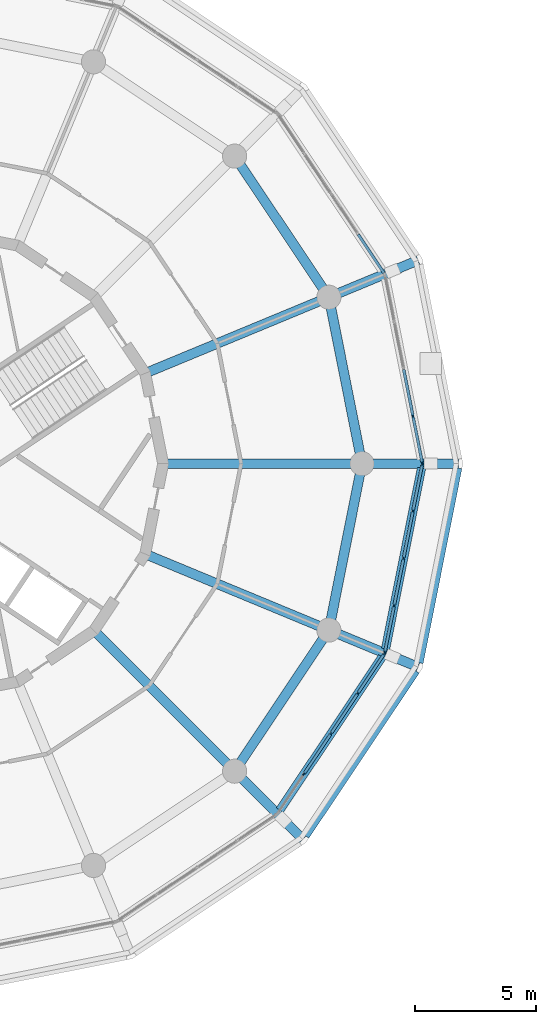
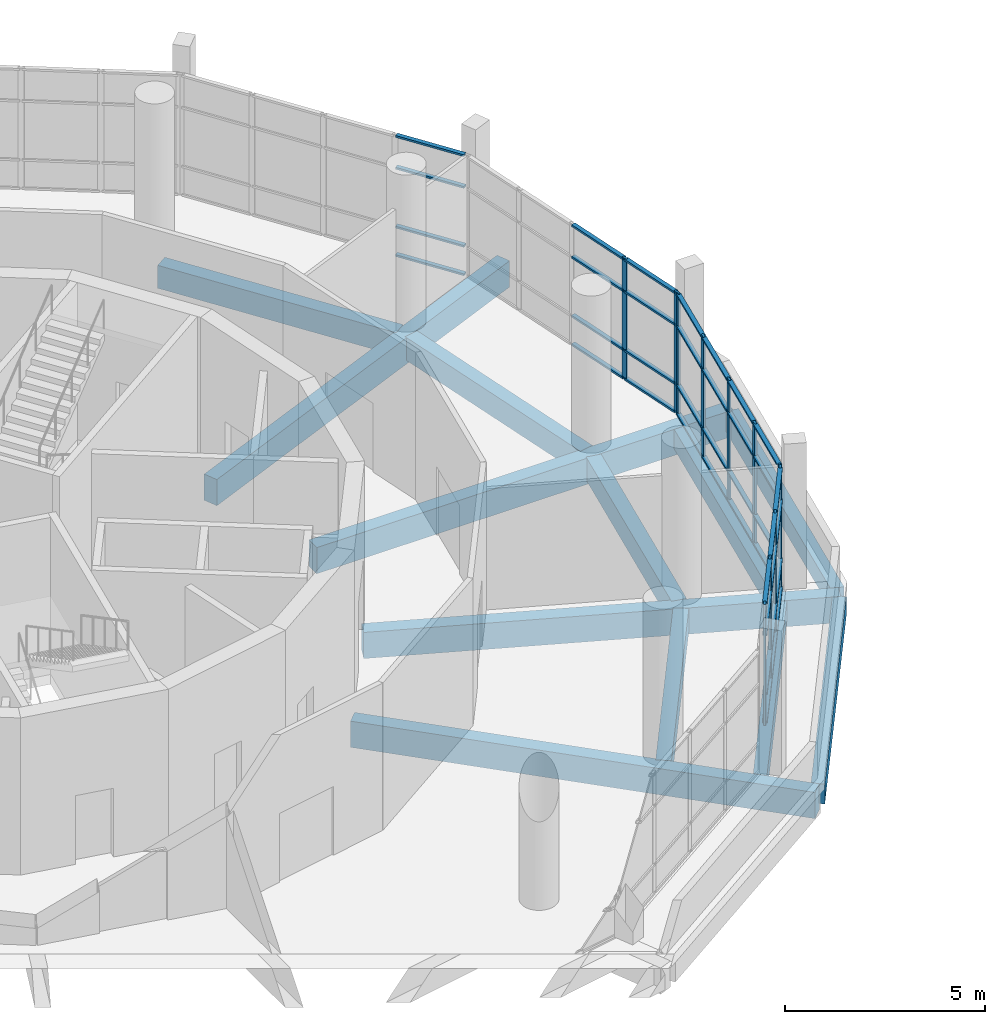
# One storey, part 9 of 40: 51 members, 12 beams, 4 elements without a shape of their own.
"""IFC4 building model written with IfcOpenShell, lengths in metres."""

from ifc_helpers import new_model, si_unit, direction, frame, origin, origin_2d, place, context, subcontext, project, spatial, rectangle, extrude, material, material_profile, profile_set, type_object, element, aggregate, save


model = new_model("IFC4")

# Units and contexts
model_context = context("Model", 3, precision=1e-05, world=origin(), true_north=direction((0.0, 1.0)))
body_context = subcontext(model_context, "Body", "Model", "MODEL_VIEW")
ifc_project = project(units=[si_unit("LENGTHUNIT", "METRE"), si_unit("AREAUNIT", "SQUARE_METRE"), si_unit("VOLUMEUNIT", "CUBIC_METRE"), si_unit("PLANEANGLEUNIT", "RADIAN"), si_unit("MASSUNIT", "GRAM", prefix="KILO")], contexts=[model_context])

# Site, building, storey
site_placement = place(None, origin())
site = spatial("IfcSite", under=ifc_project, at=site_placement, CompositionType="ELEMENT")
building_placement = place(site_placement, origin())
building = spatial("IfcBuilding", under=site, at=building_placement, Name="Ceibo Conservatory and Research Tower", CompositionType="ELEMENT")
storey_placement = place(building_placement, frame((0.0, 0.0, 6.0)))
storey = spatial("IfcBuildingStorey", under=building, at=storey_placement, Name="L01", CompositionType="ELEMENT", Elevation=6.0)

# Curtain wall, members
ifc_material_1 = material(Name="Aluminium and glass", Category="aluminium")
curtain_wall_type = type_object("IfcCurtainWallType", Name="Curtain wall CW1", PredefinedType="NOTDEFINED", material=ifc_material_1)
curtain_wall_1_placement = place(storey_placement, origin())
curtain_wall_1 = element("IfcCurtainWall", 1, at=curtain_wall_1_placement, inside=storey, type_object=curtain_wall_type, Name="CW-01.01", PredefinedType="NOTDEFINED")
ifc_material_2 = material(Name="Aluminium", Category="aluminium")
ifc_material_profile_1 = material_profile(ifc_material_2, rectangle(XDim=0.06005859375, YDim=0.159912109375, at=origin_2d()), Name="Aluminium 60 x 160")
ifc_profile_set_1 = profile_set([ifc_material_profile_1], Name="Aluminium")
member_type_1 = type_object("IfcMemberType", Name="Aluminium mullion 60 x 160", PredefinedType="MULLION", material=ifc_profile_set_1)
member_1_placement = place(storey_placement, frame((68.494140625, 120.029541015625, 0.0), z_axis=(0.0, 0.0, 1.0), x_axis=(-0.980785268711, -0.195090380799, 0.0)))
member_1 = element("IfcMember", 2, at=member_1_placement, type_object=member_type_1, Name="CW-01.01 mullion 1", PredefinedType="MULLION", context=body_context, shape_type="SweptSolid", body=[
    extrude(rectangle(XDim=0.06005859375, YDim=0.159912109375, at=origin_2d()), origin(), (0.0, 0.0, 1.0), 3.699951171875),
])
member_2_placement = place(storey_placement, frame((68.10986328125, 121.961181640625, 0.0), z_axis=(0.0, 0.0, 1.0), x_axis=(-0.980785268711, -0.195090380799, 0.0)))
member_2 = element("IfcMember", 3, at=member_2_placement, type_object=member_type_1, Name="CW-01.01 mullion 2", PredefinedType="MULLION", context=body_context, shape_type="SweptSolid", body=[
    extrude(rectangle(XDim=0.06005859375, YDim=0.159912109375, at=origin_2d()), origin(), (0.0, 0.0, 1.0), 3.699951171875),
])

curtain_wall_2_placement = place(storey_placement, origin())
curtain_wall_2 = element("IfcCurtainWall", 4, at=curtain_wall_2_placement, inside=storey, type_object=curtain_wall_type, Name="CW-01.15", PredefinedType="NOTDEFINED")
member_3_placement = place(storey_placement, frame((63.606689453125, 107.1669921875, 0.0), z_axis=(0.0, 0.0, 1.0), x_axis=(-0.831469649004, 0.555570178092, 0.0)))
member_3 = element("IfcMember", 5, at=member_3_placement, type_object=member_type_1, Name="CW-01.15 mullion 2", PredefinedType="MULLION", context=body_context, shape_type="SweptSolid", body=[
    extrude(rectangle(XDim=0.06005859375, YDim=0.159912109375, at=origin_2d()), origin(), (0.0, 0.0, 1.0), 3.699951171875),
])
member_4_placement = place(storey_placement, frame((64.717529296875, 108.82958984375, 0.0), z_axis=(0.0, 0.0, 1.0), x_axis=(-0.831469649004, 0.555570178092, 0.0)))
member_4 = element("IfcMember", 6, at=member_4_placement, type_object=member_type_1, Name="CW-01.15 mullion 3", PredefinedType="MULLION", context=body_context, shape_type="SweptSolid", body=[
    extrude(rectangle(XDim=0.06005859375, YDim=0.159912109375, at=origin_2d()), origin(), (0.0, 0.0, 1.0), 3.699951171875),
])
member_5_placement = place(storey_placement, frame((65.82861328125, 110.492431640625, 0.0), z_axis=(0.0, 0.0, 1.0), x_axis=(-0.831469649004, 0.555570178092, 0.0)))
member_5 = element("IfcMember", 7, at=member_5_placement, type_object=member_type_1, Name="CW-01.15 mullion 4", PredefinedType="MULLION", context=body_context, shape_type="SweptSolid", body=[
    extrude(rectangle(XDim=0.06005859375, YDim=0.159912109375, at=origin_2d()), origin(), (0.0, 0.0, 1.0), 3.699951171875),
])
member_6_placement = place(storey_placement, frame((66.9228515625, 112.130126953125, 0.0), z_axis=(0.0, 0.0, 1.0), x_axis=(-0.831469649004, 0.555570178092, 0.0)))
member_6 = element("IfcMember", 8, at=member_6_placement, type_object=member_type_1, Name="CW-01.15 mullion 5", PredefinedType="MULLION", context=body_context, shape_type="SweptSolid", body=[
    extrude(rectangle(XDim=0.06005859375, YDim=0.159912109375, at=origin_2d()), origin(), (0.0, 0.0, 1.0), 3.699951171875),
])

curtain_wall_3_placement = place(storey_placement, origin())
curtain_wall_3 = element("IfcCurtainWall", 9, at=curtain_wall_3_placement, inside=storey, type_object=curtain_wall_type, Name="CW-01.16", PredefinedType="NOTDEFINED")
member_7_placement = place(storey_placement, frame((66.9453125, 112.184326171875, 0.0), z_axis=(0.0, 0.0, 1.0), x_axis=(-0.980785268711, 0.195090380799, 0.0)))
member_7 = element("IfcMember", 10, at=member_7_placement, type_object=member_type_1, Name="CW-01.16 mullion 1", PredefinedType="MULLION", context=body_context, shape_type="SweptSolid", body=[
    extrude(rectangle(XDim=0.06005859375, YDim=0.159912109375, at=origin_2d()), origin(), (0.0, 0.0, 1.0), 3.699951171875),
])
member_8_placement = place(storey_placement, frame((67.32958984375, 114.1162109375, 0.0), z_axis=(0.0, 0.0, 1.0), x_axis=(-0.980785268711, 0.195090380799, 0.0)))
member_8 = element("IfcMember", 11, at=member_8_placement, type_object=member_type_1, Name="CW-01.16 mullion 2", PredefinedType="MULLION", context=body_context, shape_type="SweptSolid", body=[
    extrude(rectangle(XDim=0.06005859375, YDim=0.159912109375, at=origin_2d()), origin(), (0.0, 0.0, 1.0), 3.699951171875),
])
member_9_placement = place(storey_placement, frame((67.7197265625, 116.077392578125, 0.0), z_axis=(0.0, 0.0, 1.0), x_axis=(-0.980785268711, 0.195090380799, 0.0)))
member_9 = element("IfcMember", 12, at=member_9_placement, type_object=member_type_1, Name="CW-01.16 mullion 3", PredefinedType="MULLION", context=body_context, shape_type="SweptSolid", body=[
    extrude(rectangle(XDim=0.06005859375, YDim=0.159912109375, at=origin_2d()), origin(), (0.0, 0.0, 1.0), 3.699951171875),
])
member_10_placement = place(storey_placement, frame((68.10986328125, 118.038818359375, 0.0), z_axis=(0.0, 0.0, 1.0), x_axis=(-0.980785268711, 0.195090380799, 0.0)))
member_10 = element("IfcMember", 13, at=member_10_placement, type_object=member_type_1, Name="CW-01.16 mullion 4", PredefinedType="MULLION", context=body_context, shape_type="SweptSolid", body=[
    extrude(rectangle(XDim=0.06005859375, YDim=0.159912109375, at=origin_2d()), origin(), (0.0, 0.0, 1.0), 3.699951171875),
])
member_11_placement = place(storey_placement, frame((68.494140625, 119.970458984375, 0.0), z_axis=(0.0, 0.0, 1.0), x_axis=(-0.980785268711, 0.195090380799, 0.0)))
member_11 = element("IfcMember", 14, at=member_11_placement, type_object=member_type_1, Name="CW-01.16 mullion 5", PredefinedType="MULLION", context=body_context, shape_type="SweptSolid", body=[
    extrude(rectangle(XDim=0.06005859375, YDim=0.159912109375, at=origin_2d()), origin(), (0.0, 0.0, 1.0), 3.699951171875),
])

# Member
ifc_material_profile_2 = material_profile(ifc_material_2, rectangle(XDim=0.1201171875, YDim=0.06005859375, at=origin_2d()), Name="Aluminium 60 x 120")
ifc_profile_set_2 = profile_set([ifc_material_profile_2], Name="Aluminium")
member_type_2 = type_object("IfcMemberType", Name="Aluminium transom 60 x 120", PredefinedType="USERDEFINED", material=ifc_profile_set_2)
member_12_placement = place(storey_placement, frame((68.48828125, 120.058837890625, 0.030029296875), z_axis=(-0.195083474499, 0.980786642434, 0.0), x_axis=(-0.980786642434, -0.195083474499, 0.0)))
member_12 = element("IfcMember", 15, at=member_12_placement, type_object=member_type_2, Name="CW-01.01 transom 1.1", ObjectType="TRANSOM", PredefinedType="USERDEFINED", context=body_context, shape_type="SweptSolid", body=[
    extrude(rectangle(XDim=0.1201171875, YDim=0.06005859375, at=origin_2d()), origin(), (0.0, 0.0, 1.0), 1.90966796875),
])

member_13_placement = place(storey_placement, frame((68.48828125, 120.058837890625, 0.89990234375), z_axis=(-0.195083474499, 0.980786642434, 0.0), x_axis=(-0.980786642434, -0.195083474499, 0.0)))
member_13 = element("IfcMember", 16, at=member_13_placement, type_object=member_type_2, Name="CW-01.01 transom 1.2", ObjectType="TRANSOM", PredefinedType="USERDEFINED", context=body_context, shape_type="SweptSolid", body=[
    extrude(rectangle(XDim=0.1201171875, YDim=0.06005859375, at=origin_2d()), origin(), (0.0, 0.0, 1.0), 1.90966796875),
])

member_14_placement = place(storey_placement, frame((68.48828125, 120.058837890625, 2.699951171875), z_axis=(-0.195083474499, 0.980786642434, 0.0), x_axis=(-0.980786642434, -0.195083474499, 0.0)))
member_14 = element("IfcMember", 17, at=member_14_placement, type_object=member_type_2, Name="CW-01.01 transom 1.3", ObjectType="TRANSOM", PredefinedType="USERDEFINED", context=body_context, shape_type="SweptSolid", body=[
    extrude(rectangle(XDim=0.1201171875, YDim=0.06005859375, at=origin_2d()), origin(), (0.0, 0.0, 1.0), 1.90966796875),
])

member_15_placement = place(storey_placement, frame((68.48828125, 120.058837890625, 3.669921875), z_axis=(-0.195083474499, 0.980786642434, 0.0), x_axis=(-0.980786642434, -0.195083474499, 0.0)))
member_15 = element("IfcMember", 18, at=member_15_placement, type_object=member_type_2, Name="CW-01.01 transom 1.4", ObjectType="TRANSOM", PredefinedType="USERDEFINED", context=body_context, shape_type="SweptSolid", body=[
    extrude(rectangle(XDim=0.1201171875, YDim=0.06005859375, at=origin_2d()), origin(), (0.0, 0.0, 1.0), 1.90966796875),
])

member_16_placement = place(storey_placement, frame((68.10400390625, 121.99072265625, 0.030029296875), z_axis=(-0.195099382826, 0.980783478053, 0.0), x_axis=(-0.980783478053, -0.195099382826, 0.0)))
member_16 = element("IfcMember", 19, at=member_16_placement, type_object=member_type_2, Name="CW-01.01 transom 2.1", ObjectType="TRANSOM", PredefinedType="USERDEFINED", context=body_context, shape_type="SweptSolid", body=[
    extrude(rectangle(XDim=0.1201171875, YDim=0.06005859375, at=origin_2d()), origin(), (0.0, 0.0, 1.0), 1.939697265625),
])

member_17_placement = place(storey_placement, frame((68.10400390625, 121.99072265625, 0.89990234375), z_axis=(-0.195099382826, 0.980783478053, 0.0), x_axis=(-0.980783478053, -0.195099382826, 0.0)))
member_17 = element("IfcMember", 20, at=member_17_placement, type_object=member_type_2, Name="CW-01.01 transom 2.2", ObjectType="TRANSOM", PredefinedType="USERDEFINED", context=body_context, shape_type="SweptSolid", body=[
    extrude(rectangle(XDim=0.1201171875, YDim=0.06005859375, at=origin_2d()), origin(), (0.0, 0.0, 1.0), 1.939697265625),
])

member_18_placement = place(storey_placement, frame((68.10400390625, 121.99072265625, 2.699951171875), z_axis=(-0.195099382826, 0.980783478053, 0.0), x_axis=(-0.980783478053, -0.195099382826, 0.0)))
member_18 = element("IfcMember", 21, at=member_18_placement, type_object=member_type_2, Name="CW-01.01 transom 2.3", ObjectType="TRANSOM", PredefinedType="USERDEFINED", context=body_context, shape_type="SweptSolid", body=[
    extrude(rectangle(XDim=0.1201171875, YDim=0.06005859375, at=origin_2d()), origin(), (0.0, 0.0, 1.0), 1.939697265625),
])

member_19_placement = place(storey_placement, frame((68.10400390625, 121.99072265625, 3.669921875), z_axis=(-0.195099382826, 0.980783478053, 0.0), x_axis=(-0.980783478053, -0.195099382826, 0.0)))
member_19 = element("IfcMember", 22, at=member_19_placement, type_object=member_type_2, Name="CW-01.01 transom 2.4", ObjectType="TRANSOM", PredefinedType="USERDEFINED", context=body_context, shape_type="SweptSolid", body=[
    extrude(rectangle(XDim=0.1201171875, YDim=0.06005859375, at=origin_2d()), origin(), (0.0, 0.0, 1.0), 1.939697265625),
])

aggregate(curtain_wall_1, [member_1, member_2, member_12, member_13, member_14, member_15, member_16, member_17, member_18, member_19])

# Curtain wall, members
curtain_wall_4_placement = place(storey_placement, origin())
curtain_wall_4 = element("IfcCurtainWall", 23, at=curtain_wall_4_placement, inside=storey, type_object=curtain_wall_type, Name="CW-01.02", PredefinedType="NOTDEFINED")
member_20_placement = place(storey_placement, frame((66.90625, 127.89501953125, 0.030029296875), z_axis=(-0.555643975577, 0.831420334371, 0.0), x_axis=(-0.831420334371, -0.555643975577, 0.0)))
member_20 = element("IfcMember", 24, at=member_20_placement, type_object=member_type_2, Name="CW-01.02 transom 1.1", ObjectType="TRANSOM", PredefinedType="USERDEFINED", context=body_context, shape_type="SweptSolid", body=[
    extrude(rectangle(XDim=0.1201171875, YDim=0.06005859375, at=origin_2d()), origin(), (0.0, 0.0, 1.0), 1.90966796875),
])
member_21_placement = place(storey_placement, frame((66.90625, 127.89501953125, 0.89990234375), z_axis=(-0.555643975577, 0.831420334371, 0.0), x_axis=(-0.831420334371, -0.555643975577, 0.0)))
member_21 = element("IfcMember", 25, at=member_21_placement, type_object=member_type_2, Name="CW-01.02 transom 1.2", ObjectType="TRANSOM", PredefinedType="USERDEFINED", context=body_context, shape_type="SweptSolid", body=[
    extrude(rectangle(XDim=0.1201171875, YDim=0.06005859375, at=origin_2d()), origin(), (0.0, 0.0, 1.0), 1.90966796875),
])
member_22_placement = place(storey_placement, frame((66.90625, 127.89501953125, 2.699951171875), z_axis=(-0.555643975577, 0.831420334371, 0.0), x_axis=(-0.831420334371, -0.555643975577, 0.0)))
member_22 = element("IfcMember", 26, at=member_22_placement, type_object=member_type_2, Name="CW-01.02 transom 1.3", ObjectType="TRANSOM", PredefinedType="USERDEFINED", context=body_context, shape_type="SweptSolid", body=[
    extrude(rectangle(XDim=0.1201171875, YDim=0.06005859375, at=origin_2d()), origin(), (0.0, 0.0, 1.0), 1.90966796875),
])
member_23_placement = place(storey_placement, frame((66.90625, 127.89501953125, 3.669921875), z_axis=(-0.555643975577, 0.831420334371, 0.0), x_axis=(-0.831420334371, -0.555643975577, 0.0)))
member_23 = element("IfcMember", 27, at=member_23_placement, type_object=member_type_2, Name="CW-01.02 transom 1.4", ObjectType="TRANSOM", PredefinedType="USERDEFINED", context=body_context, shape_type="SweptSolid", body=[
    extrude(rectangle(XDim=0.1201171875, YDim=0.06005859375, at=origin_2d()), origin(), (0.0, 0.0, 1.0), 1.90966796875),
])
aggregate(curtain_wall_4, [member_20, member_21, member_22, member_23])

# Member
member_24_placement = place(storey_placement, frame((63.623291015625, 107.19189453125, 0.030029296875), z_axis=(0.55557127007, 0.831468919367, 0.0), x_axis=(-0.831468919367, 0.55557127007, 0.0)))
member_24 = element("IfcMember", 28, at=member_24_placement, type_object=member_type_2, Name="CW-01.15 transom 2.1", ObjectType="TRANSOM", PredefinedType="USERDEFINED", context=body_context, shape_type="SweptSolid", body=[
    extrude(rectangle(XDim=0.1201171875, YDim=0.06005859375, at=origin_2d()), origin(), (0.0, 0.0, 1.0), 1.939697265625),
])

member_25_placement = place(storey_placement, frame((63.623291015625, 107.19189453125, 0.89990234375), z_axis=(0.55557127007, 0.831468919367, 0.0), x_axis=(-0.831468919367, 0.55557127007, 0.0)))
member_25 = element("IfcMember", 29, at=member_25_placement, type_object=member_type_2, Name="CW-01.15 transom 2.2", ObjectType="TRANSOM", PredefinedType="USERDEFINED", context=body_context, shape_type="SweptSolid", body=[
    extrude(rectangle(XDim=0.1201171875, YDim=0.06005859375, at=origin_2d()), origin(), (0.0, 0.0, 1.0), 1.939697265625),
])

member_26_placement = place(storey_placement, frame((63.623291015625, 107.19189453125, 2.699951171875), z_axis=(0.55557127007, 0.831468919367, 0.0), x_axis=(-0.831468919367, 0.55557127007, 0.0)))
member_26 = element("IfcMember", 30, at=member_26_placement, type_object=member_type_2, Name="CW-01.15 transom 2.3", ObjectType="TRANSOM", PredefinedType="USERDEFINED", context=body_context, shape_type="SweptSolid", body=[
    extrude(rectangle(XDim=0.1201171875, YDim=0.06005859375, at=origin_2d()), origin(), (0.0, 0.0, 1.0), 1.939697265625),
])

member_27_placement = place(storey_placement, frame((63.623291015625, 107.19189453125, 3.669921875), z_axis=(0.55557127007, 0.831468919367, 0.0), x_axis=(-0.831468919367, 0.55557127007, 0.0)))
member_27 = element("IfcMember", 31, at=member_27_placement, type_object=member_type_2, Name="CW-01.15 transom 2.4", ObjectType="TRANSOM", PredefinedType="USERDEFINED", context=body_context, shape_type="SweptSolid", body=[
    extrude(rectangle(XDim=0.1201171875, YDim=0.06005859375, at=origin_2d()), origin(), (0.0, 0.0, 1.0), 1.939697265625),
])

member_28_placement = place(storey_placement, frame((64.734375, 108.8544921875, 0.030029296875), z_axis=(0.55557127007, 0.831468919367, 0.0), x_axis=(-0.831468919367, 0.55557127007, 0.0)))
member_28 = element("IfcMember", 32, at=member_28_placement, type_object=member_type_2, Name="CW-01.15 transom 3.1", ObjectType="TRANSOM", PredefinedType="USERDEFINED", context=body_context, shape_type="SweptSolid", body=[
    extrude(rectangle(XDim=0.1201171875, YDim=0.06005859375, at=origin_2d()), origin(), (0.0, 0.0, 1.0), 1.939697265625),
])

member_29_placement = place(storey_placement, frame((64.734375, 108.8544921875, 0.89990234375), z_axis=(0.55557127007, 0.831468919367, 0.0), x_axis=(-0.831468919367, 0.55557127007, 0.0)))
member_29 = element("IfcMember", 33, at=member_29_placement, type_object=member_type_2, Name="CW-01.15 transom 3.2", ObjectType="TRANSOM", PredefinedType="USERDEFINED", context=body_context, shape_type="SweptSolid", body=[
    extrude(rectangle(XDim=0.1201171875, YDim=0.06005859375, at=origin_2d()), origin(), (0.0, 0.0, 1.0), 1.939697265625),
])

member_30_placement = place(storey_placement, frame((64.734375, 108.8544921875, 2.699951171875), z_axis=(0.55557127007, 0.831468919367, 0.0), x_axis=(-0.831468919367, 0.55557127007, 0.0)))
member_30 = element("IfcMember", 34, at=member_30_placement, type_object=member_type_2, Name="CW-01.15 transom 3.3", ObjectType="TRANSOM", PredefinedType="USERDEFINED", context=body_context, shape_type="SweptSolid", body=[
    extrude(rectangle(XDim=0.1201171875, YDim=0.06005859375, at=origin_2d()), origin(), (0.0, 0.0, 1.0), 1.939697265625),
])

member_31_placement = place(storey_placement, frame((64.734375, 108.8544921875, 3.669921875), z_axis=(0.55557127007, 0.831468919367, 0.0), x_axis=(-0.831468919367, 0.55557127007, 0.0)))
member_31 = element("IfcMember", 35, at=member_31_placement, type_object=member_type_2, Name="CW-01.15 transom 3.4", ObjectType="TRANSOM", PredefinedType="USERDEFINED", context=body_context, shape_type="SweptSolid", body=[
    extrude(rectangle(XDim=0.1201171875, YDim=0.06005859375, at=origin_2d()), origin(), (0.0, 0.0, 1.0), 1.939697265625),
])

member_32_placement = place(storey_placement, frame((65.84521484375, 110.517333984375, 0.030029296875), z_axis=(0.555643975577, 0.831420334371, 0.0), x_axis=(-0.831420334371, 0.555643975577, 0.0)))
member_32 = element("IfcMember", 36, at=member_32_placement, type_object=member_type_2, Name="CW-01.15 transom 4.1", ObjectType="TRANSOM", PredefinedType="USERDEFINED", context=body_context, shape_type="SweptSolid", body=[
    extrude(rectangle(XDim=0.1201171875, YDim=0.06005859375, at=origin_2d()), origin(), (0.0, 0.0, 1.0), 1.90966796875),
])

member_33_placement = place(storey_placement, frame((65.84521484375, 110.517333984375, 0.89990234375), z_axis=(0.555643975577, 0.831420334371, 0.0), x_axis=(-0.831420334371, 0.555643975577, 0.0)))
member_33 = element("IfcMember", 37, at=member_33_placement, type_object=member_type_2, Name="CW-01.15 transom 4.2", ObjectType="TRANSOM", PredefinedType="USERDEFINED", context=body_context, shape_type="SweptSolid", body=[
    extrude(rectangle(XDim=0.1201171875, YDim=0.06005859375, at=origin_2d()), origin(), (0.0, 0.0, 1.0), 1.90966796875),
])

member_34_placement = place(storey_placement, frame((65.84521484375, 110.517333984375, 2.699951171875), z_axis=(0.555643975577, 0.831420334371, 0.0), x_axis=(-0.831420334371, 0.555643975577, 0.0)))
member_34 = element("IfcMember", 38, at=member_34_placement, type_object=member_type_2, Name="CW-01.15 transom 4.3", ObjectType="TRANSOM", PredefinedType="USERDEFINED", context=body_context, shape_type="SweptSolid", body=[
    extrude(rectangle(XDim=0.1201171875, YDim=0.06005859375, at=origin_2d()), origin(), (0.0, 0.0, 1.0), 1.90966796875),
])

member_35_placement = place(storey_placement, frame((65.84521484375, 110.517333984375, 3.669921875), z_axis=(0.555643975577, 0.831420334371, 0.0), x_axis=(-0.831420334371, 0.555643975577, 0.0)))
member_35 = element("IfcMember", 39, at=member_35_placement, type_object=member_type_2, Name="CW-01.15 transom 4.4", ObjectType="TRANSOM", PredefinedType="USERDEFINED", context=body_context, shape_type="SweptSolid", body=[
    extrude(rectangle(XDim=0.1201171875, YDim=0.06005859375, at=origin_2d()), origin(), (0.0, 0.0, 1.0), 1.90966796875),
])

aggregate(curtain_wall_2, [member_3, member_4, member_5, member_6, member_24, member_25, member_26, member_27, member_28, member_29, member_30, member_31, member_32, member_33, member_34, member_35])

member_36_placement = place(storey_placement, frame((66.951171875, 112.2138671875, 0.030029296875), z_axis=(0.195083474499, 0.980786642434, 0.0), x_axis=(-0.980786642434, 0.195083474499, 0.0)))
member_36 = element("IfcMember", 40, at=member_36_placement, type_object=member_type_2, Name="CW-01.16 transom 1.1", ObjectType="TRANSOM", PredefinedType="USERDEFINED", context=body_context, shape_type="SweptSolid", body=[
    extrude(rectangle(XDim=0.1201171875, YDim=0.06005859375, at=origin_2d()), origin(), (0.0, 0.0, 1.0), 1.90966796875),
])

member_37_placement = place(storey_placement, frame((66.951171875, 112.2138671875, 0.89990234375), z_axis=(0.195083474499, 0.980786642434, 0.0), x_axis=(-0.980786642434, 0.195083474499, 0.0)))
member_37 = element("IfcMember", 41, at=member_37_placement, type_object=member_type_2, Name="CW-01.16 transom 1.2", ObjectType="TRANSOM", PredefinedType="USERDEFINED", context=body_context, shape_type="SweptSolid", body=[
    extrude(rectangle(XDim=0.1201171875, YDim=0.06005859375, at=origin_2d()), origin(), (0.0, 0.0, 1.0), 1.90966796875),
])

member_38_placement = place(storey_placement, frame((66.951171875, 112.2138671875, 2.699951171875), z_axis=(0.195083474499, 0.980786642434, 0.0), x_axis=(-0.980786642434, 0.195083474499, 0.0)))
member_38 = element("IfcMember", 42, at=member_38_placement, type_object=member_type_2, Name="CW-01.16 transom 1.3", ObjectType="TRANSOM", PredefinedType="USERDEFINED", context=body_context, shape_type="SweptSolid", body=[
    extrude(rectangle(XDim=0.1201171875, YDim=0.06005859375, at=origin_2d()), origin(), (0.0, 0.0, 1.0), 1.90966796875),
])

member_39_placement = place(storey_placement, frame((66.951171875, 112.2138671875, 3.669921875), z_axis=(0.195083474499, 0.980786642434, 0.0), x_axis=(-0.980786642434, 0.195083474499, 0.0)))
member_39 = element("IfcMember", 43, at=member_39_placement, type_object=member_type_2, Name="CW-01.16 transom 1.4", ObjectType="TRANSOM", PredefinedType="USERDEFINED", context=body_context, shape_type="SweptSolid", body=[
    extrude(rectangle(XDim=0.1201171875, YDim=0.06005859375, at=origin_2d()), origin(), (0.0, 0.0, 1.0), 1.90966796875),
])

member_40_placement = place(storey_placement, frame((67.33544921875, 114.145751953125, 0.030029296875), z_axis=(0.195099382826, 0.980783478053, 0.0), x_axis=(-0.980783478053, 0.195099382826, 0.0)))
member_40 = element("IfcMember", 44, at=member_40_placement, type_object=member_type_2, Name="CW-01.16 transom 2.1", ObjectType="TRANSOM", PredefinedType="USERDEFINED", context=body_context, shape_type="SweptSolid", body=[
    extrude(rectangle(XDim=0.1201171875, YDim=0.06005859375, at=origin_2d()), origin(), (0.0, 0.0, 1.0), 1.939697265625),
])

member_41_placement = place(storey_placement, frame((67.33544921875, 114.145751953125, 0.89990234375), z_axis=(0.195099382826, 0.980783478053, 0.0), x_axis=(-0.980783478053, 0.195099382826, 0.0)))
member_41 = element("IfcMember", 45, at=member_41_placement, type_object=member_type_2, Name="CW-01.16 transom 2.2", ObjectType="TRANSOM", PredefinedType="USERDEFINED", context=body_context, shape_type="SweptSolid", body=[
    extrude(rectangle(XDim=0.1201171875, YDim=0.06005859375, at=origin_2d()), origin(), (0.0, 0.0, 1.0), 1.939697265625),
])

member_42_placement = place(storey_placement, frame((67.33544921875, 114.145751953125, 2.699951171875), z_axis=(0.195099382826, 0.980783478053, 0.0), x_axis=(-0.980783478053, 0.195099382826, 0.0)))
member_42 = element("IfcMember", 46, at=member_42_placement, type_object=member_type_2, Name="CW-01.16 transom 2.3", ObjectType="TRANSOM", PredefinedType="USERDEFINED", context=body_context, shape_type="SweptSolid", body=[
    extrude(rectangle(XDim=0.1201171875, YDim=0.06005859375, at=origin_2d()), origin(), (0.0, 0.0, 1.0), 1.939697265625),
])

member_43_placement = place(storey_placement, frame((67.33544921875, 114.145751953125, 3.669921875), z_axis=(0.195099382826, 0.980783478053, 0.0), x_axis=(-0.980783478053, 0.195099382826, 0.0)))
member_43 = element("IfcMember", 47, at=member_43_placement, type_object=member_type_2, Name="CW-01.16 transom 2.4", ObjectType="TRANSOM", PredefinedType="USERDEFINED", context=body_context, shape_type="SweptSolid", body=[
    extrude(rectangle(XDim=0.1201171875, YDim=0.06005859375, at=origin_2d()), origin(), (0.0, 0.0, 1.0), 1.939697265625),
])

member_44_placement = place(storey_placement, frame((67.7255859375, 116.10693359375, 0.030029296875), z_axis=(0.195099382826, 0.980783478053, 0.0), x_axis=(-0.980783478053, 0.195099382826, 0.0)))
member_44 = element("IfcMember", 48, at=member_44_placement, type_object=member_type_2, Name="CW-01.16 transom 3.1", ObjectType="TRANSOM", PredefinedType="USERDEFINED", context=body_context, shape_type="SweptSolid", body=[
    extrude(rectangle(XDim=0.1201171875, YDim=0.06005859375, at=origin_2d()), origin(), (0.0, 0.0, 1.0), 1.939697265625),
])

member_45_placement = place(storey_placement, frame((67.7255859375, 116.10693359375, 0.89990234375), z_axis=(0.195099382826, 0.980783478053, 0.0), x_axis=(-0.980783478053, 0.195099382826, 0.0)))
member_45 = element("IfcMember", 49, at=member_45_placement, type_object=member_type_2, Name="CW-01.16 transom 3.2", ObjectType="TRANSOM", PredefinedType="USERDEFINED", context=body_context, shape_type="SweptSolid", body=[
    extrude(rectangle(XDim=0.1201171875, YDim=0.06005859375, at=origin_2d()), origin(), (0.0, 0.0, 1.0), 1.939697265625),
])

member_46_placement = place(storey_placement, frame((67.7255859375, 116.10693359375, 2.699951171875), z_axis=(0.195099382826, 0.980783478053, 0.0), x_axis=(-0.980783478053, 0.195099382826, 0.0)))
member_46 = element("IfcMember", 50, at=member_46_placement, type_object=member_type_2, Name="CW-01.16 transom 3.3", ObjectType="TRANSOM", PredefinedType="USERDEFINED", context=body_context, shape_type="SweptSolid", body=[
    extrude(rectangle(XDim=0.1201171875, YDim=0.06005859375, at=origin_2d()), origin(), (0.0, 0.0, 1.0), 1.939697265625),
])

member_47_placement = place(storey_placement, frame((67.7255859375, 116.10693359375, 3.669921875), z_axis=(0.195099382826, 0.980783478053, 0.0), x_axis=(-0.980783478053, 0.195099382826, 0.0)))
member_47 = element("IfcMember", 51, at=member_47_placement, type_object=member_type_2, Name="CW-01.16 transom 3.4", ObjectType="TRANSOM", PredefinedType="USERDEFINED", context=body_context, shape_type="SweptSolid", body=[
    extrude(rectangle(XDim=0.1201171875, YDim=0.06005859375, at=origin_2d()), origin(), (0.0, 0.0, 1.0), 1.939697265625),
])

member_48_placement = place(storey_placement, frame((68.11572265625, 118.068115234375, 0.030029296875), z_axis=(0.195083474499, 0.980786642434, 0.0), x_axis=(-0.980786642434, 0.195083474499, 0.0)))
member_48 = element("IfcMember", 52, at=member_48_placement, type_object=member_type_2, Name="CW-01.16 transom 4.1", ObjectType="TRANSOM", PredefinedType="USERDEFINED", context=body_context, shape_type="SweptSolid", body=[
    extrude(rectangle(XDim=0.1201171875, YDim=0.06005859375, at=origin_2d()), origin(), (0.0, 0.0, 1.0), 1.90966796875),
])

member_49_placement = place(storey_placement, frame((68.11572265625, 118.068115234375, 0.89990234375), z_axis=(0.195083474499, 0.980786642434, 0.0), x_axis=(-0.980786642434, 0.195083474499, 0.0)))
member_49 = element("IfcMember", 53, at=member_49_placement, type_object=member_type_2, Name="CW-01.16 transom 4.2", ObjectType="TRANSOM", PredefinedType="USERDEFINED", context=body_context, shape_type="SweptSolid", body=[
    extrude(rectangle(XDim=0.1201171875, YDim=0.06005859375, at=origin_2d()), origin(), (0.0, 0.0, 1.0), 1.90966796875),
])

member_50_placement = place(storey_placement, frame((68.11572265625, 118.068115234375, 2.699951171875), z_axis=(0.195083474499, 0.980786642434, 0.0), x_axis=(-0.980786642434, 0.195083474499, 0.0)))
member_50 = element("IfcMember", 54, at=member_50_placement, type_object=member_type_2, Name="CW-01.16 transom 4.3", ObjectType="TRANSOM", PredefinedType="USERDEFINED", context=body_context, shape_type="SweptSolid", body=[
    extrude(rectangle(XDim=0.1201171875, YDim=0.06005859375, at=origin_2d()), origin(), (0.0, 0.0, 1.0), 1.90966796875),
])

member_51_placement = place(storey_placement, frame((68.11572265625, 118.068115234375, 3.669921875), z_axis=(0.195083474499, 0.980786642434, 0.0), x_axis=(-0.980786642434, 0.195083474499, 0.0)))
member_51 = element("IfcMember", 55, at=member_51_placement, type_object=member_type_2, Name="CW-01.16 transom 4.4", ObjectType="TRANSOM", PredefinedType="USERDEFINED", context=body_context, shape_type="SweptSolid", body=[
    extrude(rectangle(XDim=0.1201171875, YDim=0.06005859375, at=origin_2d()), origin(), (0.0, 0.0, 1.0), 1.90966796875),
])

aggregate(curtain_wall_3, [member_7, member_8, member_9, member_10, member_11, member_36, member_37, member_38, member_39, member_40, member_41, member_42, member_43, member_44, member_45, member_46, member_47, member_48, member_49, member_50, member_51])

# Beams
ifc_material_3 = material(Name="Concrete C35/45", Category="concrete")
ifc_material_profile_3 = material_profile(ifc_material_3, rectangle(XDim=0.35009765625, YDim=0.60009765625, at=origin_2d()), Name="RC 350x600")
ifc_profile_set_3 = profile_set([ifc_material_profile_3], Name="Concrete C35/45")
beam_type_1 = type_object("IfcBeamType", Name="RC beam 350x600 C35", PredefinedType="BEAM", material=ifc_profile_set_3)
for number, where, z_axis, x_axis, name in (
    (56, (62.597900390625, 105.6572265625, -0.60009765625), (0.555578495676, 0.831464091312, 0.0), (-0.831464091312, 0.555578495676, 0.0), "Edge beam 15 L01"),
    (57, (66.975341796875, 112.33544921875, -0.60009765625), (0.195100828433, 0.980783190489, 0.0), (-0.980783190489, 0.195100828433, 0.0), "Edge beam 16 L01"),
):
    element("IfcBeam", number, at=place(storey_placement, frame(where, z_axis=z_axis, x_axis=x_axis)), inside=storey, type_object=beam_type_1, Name=name, PredefinedType="BEAM", context=body_context, shape_type="SweptSolid", body=[
        extrude(rectangle(XDim=0.35009765625, YDim=0.60009765625, at=origin_2d()), origin(), (0.0, 0.0, 1.0), 7.630859375),
    ])
beam_1_placement = place(storey_placement, frame((63.658447265625, 104.5966796875, -0.60009765625), z_axis=(0.555584480406, 0.831460092327, 0.0), x_axis=(-0.831460092327, 0.555584480406, 0.0)))
element("IfcBeam", 58, at=beam_1_placement, inside=storey, type_object=beam_type_1, Name="Edge beam 15 L01", PredefinedType="BEAM", context=body_context, shape_type="SweptSolid", body=[
    extrude(rectangle(XDim=0.35009765625, YDim=0.60009765625, at=origin_2d()), origin(), (0.0, 0.0, 1.0), 8.216064453125),
])
beam_2_placement = place(storey_placement, frame((68.361328125, 111.76123046875, -0.60009765625), z_axis=(0.195076015612, 0.980788126016, 0.0), x_axis=(-0.980788126016, 0.195076015612, 0.0)))
element("IfcBeam", 59, at=beam_2_placement, inside=storey, type_object=beam_type_1, Name="Edge beam 16 L01", PredefinedType="BEAM", context=body_context, shape_type="SweptSolid", body=[
    extrude(rectangle(XDim=0.35009765625, YDim=0.60009765625, at=origin_2d()), origin(), (0.0, 0.0, 1.0), 8.21630859375),
])
ifc_material_profile_4 = material_profile(ifc_material_3, rectangle(XDim=0.39990234375, YDim=0.699951171875, at=origin_2d()), Name="RC 400x700")
ifc_profile_set_4 = profile_set([ifc_material_profile_4], Name="Concrete C35/45")
beam_type_2 = type_object("IfcBeamType", Name="RC beam 400x700 C35", PredefinedType="BEAM", material=ifc_profile_set_4)
beam_3_placement = place(storey_placement, frame((65.964111328125, 120.180419921875, -0.64990234375), z_axis=(-0.19507903146, 0.980787526167, 0.0), x_axis=(-0.980787526167, -0.19507903146, 0.0)))
element("IfcBeam", 60, at=beam_3_placement, inside=storey, type_object=beam_type_2, Name="Ring beam 01 L01", PredefinedType="BEAM", context=body_context, shape_type="SweptSolid", body=[
    extrude(rectangle(XDim=0.39990234375, YDim=0.699951171875, at=origin_2d()), origin(), (0.0, 0.0, 1.0), 6.655517578125),
])
for number, where, z_axis, x_axis, name in (
    (61, (64.527587890625, 127.041259765625, -0.64990234375), (-0.555571830572, 0.83146854485, 0.0), (-0.83146854485, -0.555571830572, 0.0), "Ring beam 02 L01"),
    (62, (60.830078125, 107.425048828125, -0.64990234375), (0.555571830572, 0.83146854485, 0.0), (-0.83146854485, 0.555571830572, 0.0), "Ring beam 15 L01"),
):
    element("IfcBeam", number, at=place(storey_placement, frame(where, z_axis=z_axis, x_axis=x_axis)), inside=storey, type_object=beam_type_2, Name=name, PredefinedType="BEAM", context=body_context, shape_type="SweptSolid", body=[
        extrude(rectangle(XDim=0.39990234375, YDim=0.699951171875, at=origin_2d()), origin(), (0.0, 0.0, 1.0), 6.6552734375),
    ])
beam_4_placement = place(storey_placement, frame((64.665771484375, 113.2919921875, -0.64990234375), z_axis=(0.19507903146, 0.980787526167, 0.0), x_axis=(-0.980787526167, 0.19507903146, 0.0)))
element("IfcBeam", 63, at=beam_4_placement, inside=storey, type_object=beam_type_2, Name="Ring beam 16 L01", PredefinedType="BEAM", context=body_context, shape_type="SweptSolid", body=[
    extrude(rectangle(XDim=0.39990234375, YDim=0.699951171875, at=origin_2d()), origin(), (0.0, 0.0, 1.0), 6.655517578125),
])
ifc_material_profile_5 = material_profile(ifc_material_3, rectangle(XDim=0.39990234375, YDim=0.800048828125, at=origin_2d()), Name="RC 400x800")
ifc_profile_set_5 = profile_set([ifc_material_profile_5], Name="Concrete C35/45")
beam_type_3 = type_object("IfcBeamType", Name="RC beam 400x800 C35", PredefinedType="BEAM", material=ifc_profile_set_5)
for number, where, z_axis, x_axis, name in (
    (64, (57.949951171875, 120.0, -0.699951171875), (1.0, 0.0, 0.0), (0.0, 1.0, 0.0), "Radial beam R1 L01"),
    (65, (57.192626953125, 123.8076171875, -0.699951171875), (0.923874289595, 0.382696089639, 0.0), (-0.382696089639, 0.923874289595, 0.0), "Radial beam R2 L01"),
):
    element("IfcBeam", number, at=place(storey_placement, frame(where, z_axis=z_axis, x_axis=x_axis)), inside=storey, type_object=beam_type_3, Name=name, PredefinedType="BEAM", context=body_context, shape_type="SweptSolid", body=[
        extrude(rectangle(XDim=0.39990234375, YDim=0.800048828125, at=origin_2d()), origin(), (0.0, 0.0, 1.0), 12.045166015625),
    ])
beam_5_placement = place(storey_placement, frame((55.03564453125, 112.96435546875, -0.699951171875), z_axis=(0.707106781187, -0.707106781187, 0.0), x_axis=(0.707106781187, 0.707106781187, 0.0)))
element("IfcBeam", 66, at=beam_5_placement, inside=storey, type_object=beam_type_3, Name="Radial beam R15 L01", PredefinedType="BEAM", context=body_context, shape_type="SweptSolid", body=[
    extrude(rectangle(XDim=0.39990234375, YDim=0.800048828125, at=origin_2d()), origin(), (0.0, 0.0, 1.0), 12.044921875),
])
beam_6_placement = place(storey_placement, frame((57.192626953125, 116.1923828125, -0.699951171875), z_axis=(0.923874289595, -0.382696089639, 0.0), x_axis=(0.382696089639, 0.923874289595, 0.0)))
element("IfcBeam", 67, at=beam_6_placement, inside=storey, type_object=beam_type_3, Name="Radial beam R16 L01", PredefinedType="BEAM", context=body_context, shape_type="SweptSolid", body=[
    extrude(rectangle(XDim=0.39990234375, YDim=0.800048828125, at=origin_2d()), origin(), (0.0, 0.0, 1.0), 12.045166015625),
])

save(model, "model.ifc")
